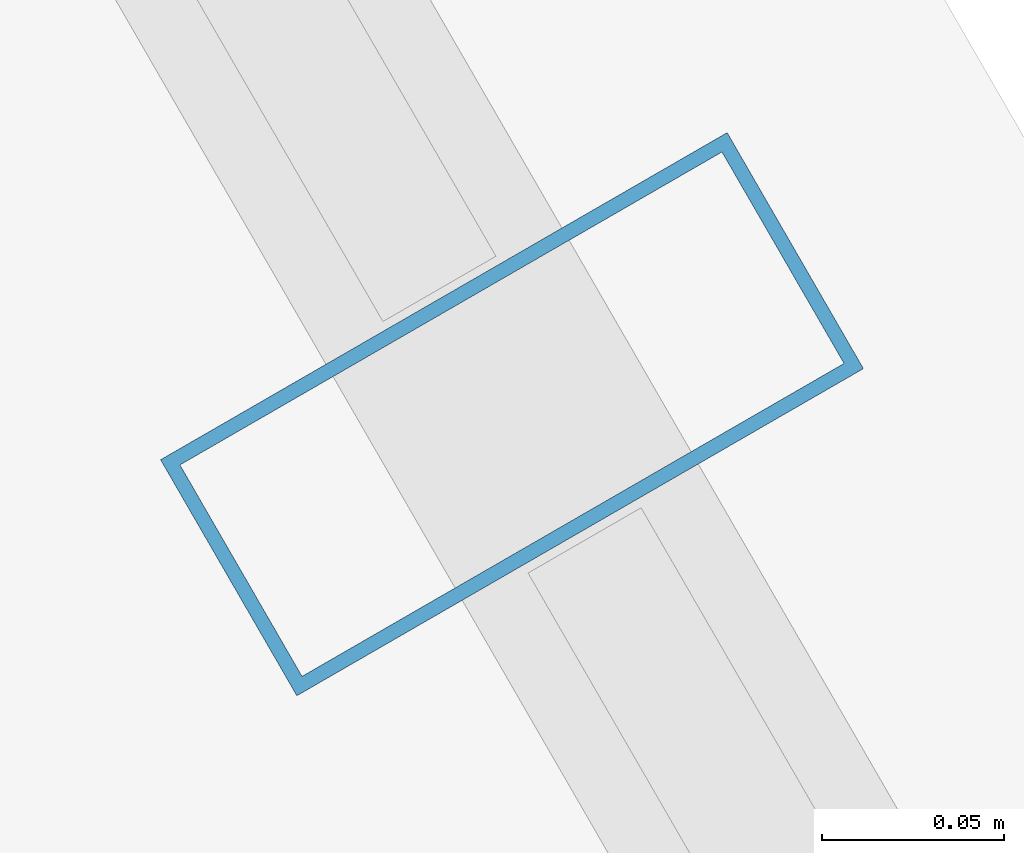
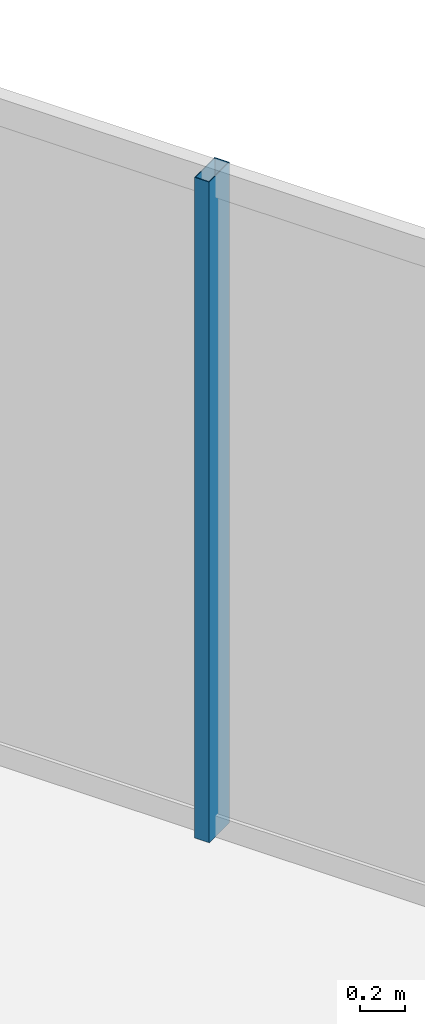
# One storey, part 17 of 32: 1 member, 1 element without a shape of its own.
"""IFC4 building model written with IfcOpenShell, lengths in metres."""

from ifc_helpers import new_model, si_unit, direction, frame, origin, origin_2d, place, context, subcontext, project, spatial, hollow_rectangle, extrude, material, layer, layer_set, material_profile, profile_set, type_object, element, aggregate, save


model = new_model("IFC4")

# Units and contexts
model_context = context("Model", 3, precision=1e-05, world=origin(), true_north=direction((0.0, 1.0)))
body_context = subcontext(model_context, "Body", "Model", "MODEL_VIEW")
ifc_project = project(units=[si_unit("LENGTHUNIT", "METRE"), si_unit("AREAUNIT", "SQUARE_METRE"), si_unit("VOLUMEUNIT", "CUBIC_METRE"), si_unit("PLANEANGLEUNIT", "RADIAN"), si_unit("MASSUNIT", "GRAM", prefix="KILO")], contexts=[model_context])

# Site, building, storey
site_placement = place(None, origin())
site = spatial("IfcSite", under=ifc_project, at=site_placement, CompositionType="ELEMENT")
building_placement = place(site_placement, origin())
building = spatial("IfcBuilding", under=site, at=building_placement, Name="Ndaravel Arena Tower", CompositionType="ELEMENT")
storey_placement = place(building_placement, frame((0.0, 0.0, 287.10009765625)))
storey = spatial("IfcBuildingStorey", under=building, at=storey_placement, Name="L70", CompositionType="ELEMENT", Elevation=287.10009765625)

# Curtain wall, member
ifc_material_1 = material(Name="Aluminium", Category="aluminium")
ifc_layer = layer(ifc_material_1, 0.179931640625)
ifc_layer_set = layer_set([ifc_layer], Name="Aluminium")
curtain_wall_type = type_object("IfcCurtainWallType", Name="CW-SYS-03", PredefinedType="NOTDEFINED", material=ifc_layer_set)
curtain_wall_placement = place(storey_placement, origin())
curtain_wall = element("IfcCurtainWall", 1, at=curtain_wall_placement, inside=storey, type_object=curtain_wall_type, Name="L70 Faceted Crystal Curtain Wall CW-L70-E03", PredefinedType="NOTDEFINED")
ifc_material_2 = material(Name="Aluminium", Category="aluminium")
ifc_material_profile = material_profile(ifc_material_2, hollow_rectangle(XDim=0.074951171875, YDim=0.179931640625, WallThickness=0.00390625, at=origin_2d()), Name="CW MULLION 75x180x4")
ifc_profile_set = profile_set([ifc_material_profile], Name="Aluminium")
member_type = type_object("IfcMemberType", Name="MEM-CW-MUL180", PredefinedType="MULLION", material=ifc_profile_set)
member_placement = place(storey_placement, frame((50.95068359375, 32.23046875, 0.0), z_axis=(0.0, 0.0, 1.0), x_axis=(-0.5, 0.866025403784, 0.0)))
member = element("IfcMember", 2, at=member_placement, type_object=member_type, Name="CW-L70-E03 Mullion 06", PredefinedType="MULLION", context=body_context, shape_type="SweptSolid", body=[
    extrude(hollow_rectangle(XDim=0.074951171875, YDim=0.179931640625, WallThickness=0.00390625, at=origin_2d()), origin(), (0.0, 0.0, 1.0), 3.579833984375),
])
aggregate(curtain_wall, [member])

save(model, "model.ifc")
